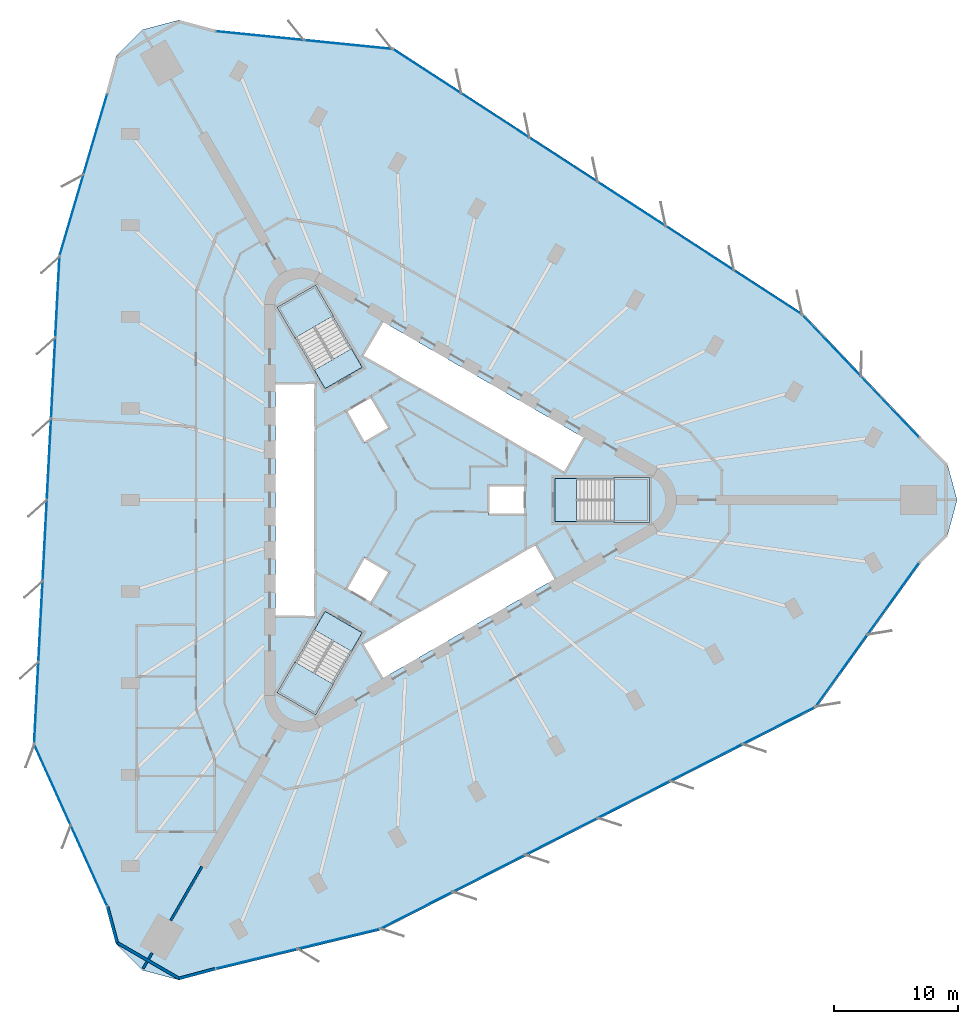
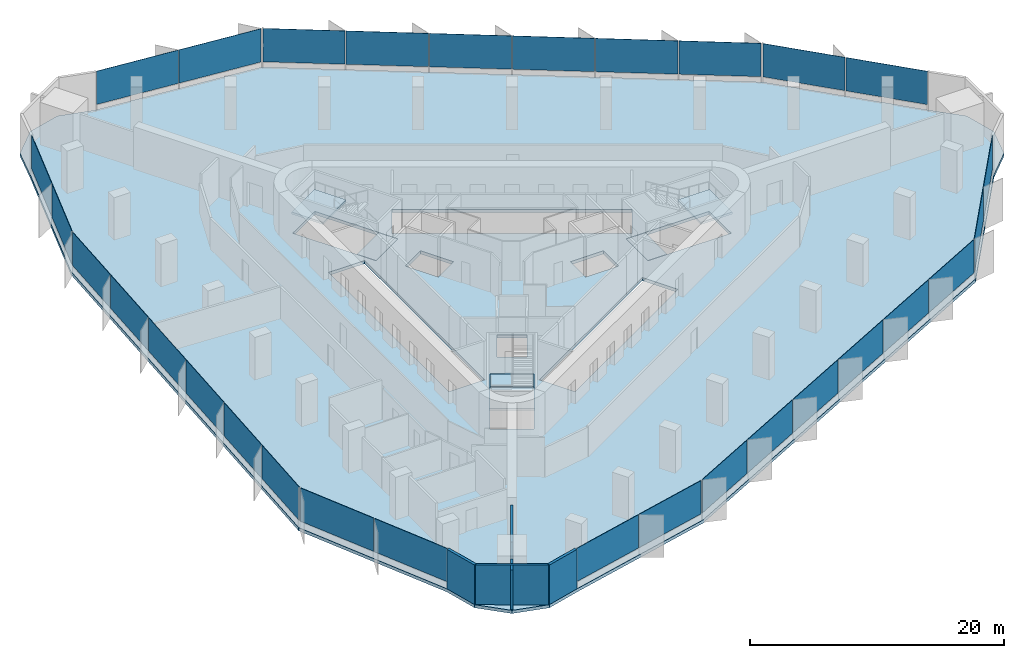
# One storey, part 8 of 14: 30 plates, 7 slabs, 6 walls, 12 elements without a shape of their own.
"""IFC4 building model written with IfcOpenShell, lengths in metres."""

from ifc_helpers import new_model, si_unit, direction, frame, frame_2d, origin, origin_2d, place, context, subcontext, project, spatial, polyline, rectangle, outline, extrude, material, layer, layer_set, type_object, element, aggregate, save


model = new_model("IFC4")

# Units and contexts
model_context = context("Model", 3, precision=1e-05, world=origin(), true_north=direction((0.0, 1.0)))
body_context = subcontext(model_context, "Body", "Model", "MODEL_VIEW")
ifc_project = project(units=[si_unit("LENGTHUNIT", "METRE"), si_unit("AREAUNIT", "SQUARE_METRE"), si_unit("VOLUMEUNIT", "CUBIC_METRE"), si_unit("PLANEANGLEUNIT", "RADIAN"), si_unit("MASSUNIT", "GRAM", prefix="KILO")], contexts=[model_context])

# Site, building, storey
site_placement = place(None, origin())
site = spatial("IfcSite", under=ifc_project, at=site_placement, CompositionType="ELEMENT")
building_placement = place(site_placement, origin())
building = spatial("IfcBuilding", under=site, at=building_placement, Name="Tanit Gate Tower", CompositionType="ELEMENT")
storey_placement = place(building_placement, frame((0.0, 0.0, 115.199951171875)))
storey = spatial("IfcBuildingStorey", under=building, at=storey_placement, Name="L24", CompositionType="ELEMENT", Elevation=115.199951171875)

# Slab
ifc_material_1 = material(Name="Concrete C35/45", Category="concrete")
ifc_layer_1 = layer(ifc_material_1, 0.300048828125)
ifc_layer_set_1 = layer_set([ifc_layer_1], Name="FLOOR SLAB 300 C35/45")
slab_type_1 = type_object("IfcSlabType", Name="FLOOR SLAB 300 C35/45", PredefinedType="FLOOR", material=ifc_layer_set_1)
slab_1_placement = place(storey_placement, frame((0.0, 0.0, -0.300048828125)))
element("IfcSlab", 1, at=slab_1_placement, inside=storey, type_object=slab_type_1, Name="FLOOR SLAB L24", PredefinedType="FLOOR", context=body_context, shape_type="SweptSolid", body=[
    extrude(outline(polyline([(40.87548828125, 5.105224609375), (43.033203125, 2.947509765625), (43.822998046875, 0.0), (43.033203125, -2.947509765625), (40.87548828125, -5.105224609375), (32.458251953125, -16.80322265625), (-2.703369140625, -34.73388671875), (-16.0166015625, -37.951904296875), (-18.964111328125, -38.74169921875), (-21.91162109375, -37.951904296875), (-24.0693359375, -35.794189453125), (-24.859130859375, -32.8466796875), (-30.78125, -19.7080078125), (-28.728759765625, 19.7080078125), (-24.859130859375, 32.8466796875), (-24.0693359375, 35.794189453125), (-21.91162109375, 37.951904296875), (-18.964111328125, 38.74169921875), (-16.0166015625, 37.951904296875), (-1.677001953125, 36.51123046875), (31.431884765625, 15.02587890625), (40.87548828125, 5.105224609375)]), holes=[polyline([(11.3701171875, 1.72998046875), (18.929931640625, 1.72998046875), (18.929931640625, -1.72998046875), (11.3701171875, -1.72998046875), (11.3701171875, 1.72998046875)]), polyline([(-4.208984375, 11.60986328125), (-2.583984375, 14.424560546875), (13.783935546875, 4.974609375), (12.158935546875, 2.159912109375), (-4.208984375, 11.60986328125)]), polyline([(-4.208984375, -11.60986328125), (9.82080078125, -3.510009765625), (11.44580078125, -6.324462890625), (-2.583984375, -14.424560546875), (-4.208984375, -11.60986328125)]), polyline([(9.0, 1.199951171875), (9.0, -1.199951171875), (6.0, -1.199951171875), (6.0, 1.199951171875), (9.0, 1.199951171875)]), polyline([(-5.539306640625, 7.194091796875), (-3.460693359375, 8.394287109375), (-1.960693359375, 5.796142578125), (-4.039306640625, 4.59619140625), (-5.539306640625, 7.194091796875)]), polyline([(-1.960693359375, -5.796142578125), (-3.460693359375, -8.394287109375), (-5.539306640625, -7.194091796875), (-4.039306640625, -4.59619140625), (-1.960693359375, -5.796142578125)]), polyline([(-10.963134765625, 15.52880859375), (-7.966796875, 17.2587890625), (-4.186767578125, 10.711669921875), (-7.18310546875, 8.981689453125), (-10.963134765625, 15.52880859375)]), polyline([(-4.186767578125, -10.711669921875), (-7.966796875, -17.2587890625), (-10.963134765625, -15.52880859375), (-7.18310546875, -8.981689453125), (-4.186767578125, -10.711669921875)]), polyline([(-11.199951171875, -9.449951171875), (-11.199951171875, 9.449951171875), (-7.949951171875, 9.449951171875), (-7.949951171875, -9.449951171875), (-11.199951171875, -9.449951171875)])]), origin(), (0.0, 0.0, 1.0), 0.300048828125),
])

# Curtain wall, plates
ifc_material_2 = material(Name="Aluminium bronze anodised and glass", Category="aluminium")
curtain_wall_type = type_object("IfcCurtainWallType", Name="Curtain wall typical low", PredefinedType="NOTDEFINED", material=ifc_material_2)
curtain_wall_1_placement = place(storey_placement, origin())
curtain_wall_1 = element("IfcCurtainWall", 2, at=curtain_wall_1_placement, inside=storey, type_object=curtain_wall_type, Name="Curtain wall L24 NE1", PredefinedType="NOTDEFINED")
ifc_material_3 = material(Name="Glass tinted", Category="glass")
ifc_layer_2 = layer(ifc_material_3, 0.031982421875)
ifc_layer_set_2 = layer_set([ifc_layer_2], Name="Glass panel 32 typical low")
plate_type = type_object("IfcPlateType", Name="Glass panel 32 typical low", PredefinedType="CURTAIN_PANEL", material=ifc_layer_set_2)
plate_1_placement = place(storey_placement, frame((38.417236328125, 7.513671875, 0.60009765625), z_axis=(0.0, 0.0, 1.0), x_axis=(-0.689481250245, 0.724303531374, 0.0)))
plate_1 = element("IfcPlate", 3, at=plate_1_placement, type_object=plate_type, Name="Glass panel L24 NE1.1", PredefinedType="CURTAIN_PANEL", context=body_context, shape_type="SweptSolid", body=[
    extrude(rectangle(XDim=6.721923828125, YDim=0.031982421875, at=origin_2d()), origin(), (0.0, 0.0, 1.0), 3.199951171875),
])
plate_2_placement = place(storey_placement, frame((33.727294921875, 12.4404296875, 0.60009765625), z_axis=(0.0, 0.0, 1.0), x_axis=(-0.689481250245, 0.724303531374, 0.0)))
plate_2 = element("IfcPlate", 4, at=plate_2_placement, type_object=plate_type, Name="Glass panel L24 NE1.2", PredefinedType="CURTAIN_PANEL", context=body_context, shape_type="SweptSolid", body=[
    extrude(rectangle(XDim=6.721923828125, YDim=0.031982421875, at=origin_2d()), origin(), (0.0, 0.0, 1.0), 3.199951171875),
])
aggregate(curtain_wall_1, [plate_1, plate_2])

curtain_wall_2_placement = place(storey_placement, origin())
curtain_wall_2 = element("IfcCurtainWall", 5, at=curtain_wall_2_placement, inside=storey, type_object=curtain_wall_type, Name="Curtain wall L24 NE2", PredefinedType="NOTDEFINED")
plate_3_placement = place(storey_placement, frame((28.57080078125, 16.739501953125, 0.60009765625), z_axis=(0.0, 0.0, 1.0), x_axis=(-0.838852134807, 0.544359344487, 0.0)))
plate_3 = element("IfcPlate", 6, at=plate_3_placement, type_object=plate_type, Name="Glass panel L24 NE2.1", PredefinedType="CURTAIN_PANEL", context=body_context, shape_type="SweptSolid", body=[
    extrude(rectangle(XDim=6.477783203125, YDim=0.031982421875, at=origin_2d()), origin(), (0.0, 0.0, 1.0), 3.199951171875),
])
plate_4_placement = place(storey_placement, frame((23.06982421875, 20.309326171875, 0.60009765625), z_axis=(0.0, 0.0, 1.0), x_axis=(-0.838852134807, 0.544359344487, 0.0)))
plate_4 = element("IfcPlate", 7, at=plate_4_placement, type_object=plate_type, Name="Glass panel L24 NE2.2", PredefinedType="CURTAIN_PANEL", context=body_context, shape_type="SweptSolid", body=[
    extrude(rectangle(XDim=6.477783203125, YDim=0.031982421875, at=origin_2d()), origin(), (0.0, 0.0, 1.0), 3.199951171875),
])
plate_5_placement = place(storey_placement, frame((17.56884765625, 23.87890625, 0.60009765625), z_axis=(0.0, 0.0, 1.0), x_axis=(-0.838852134807, 0.544359344487, 0.0)))
plate_5 = element("IfcPlate", 8, at=plate_5_placement, type_object=plate_type, Name="Glass panel L24 NE2.3", PredefinedType="CURTAIN_PANEL", context=body_context, shape_type="SweptSolid", body=[
    extrude(rectangle(XDim=6.477783203125, YDim=0.031982421875, at=origin_2d()), origin(), (0.0, 0.0, 1.0), 3.199951171875),
])
plate_6_placement = place(storey_placement, frame((12.06787109375, 27.44873046875, 0.60009765625), z_axis=(0.0, 0.0, 1.0), x_axis=(-0.838852134807, 0.544359344487, 0.0)))
plate_6 = element("IfcPlate", 9, at=plate_6_placement, type_object=plate_type, Name="Glass panel L24 NE2.4", PredefinedType="CURTAIN_PANEL", context=body_context, shape_type="SweptSolid", body=[
    extrude(rectangle(XDim=6.477783203125, YDim=0.031982421875, at=origin_2d()), origin(), (0.0, 0.0, 1.0), 3.199951171875),
])
plate_7_placement = place(storey_placement, frame((6.56689453125, 31.0185546875, 0.60009765625), z_axis=(0.0, 0.0, 1.0), x_axis=(-0.838852134807, 0.544359344487, 0.0)))
plate_7 = element("IfcPlate", 10, at=plate_7_placement, type_object=plate_type, Name="Glass panel L24 NE2.5", PredefinedType="CURTAIN_PANEL", context=body_context, shape_type="SweptSolid", body=[
    extrude(rectangle(XDim=6.477783203125, YDim=0.031982421875, at=origin_2d()), origin(), (0.0, 0.0, 1.0), 3.199951171875),
])
plate_8_placement = place(storey_placement, frame((1.066162109375, 34.588134765625, 0.60009765625), z_axis=(0.0, 0.0, 1.0), x_axis=(-0.838852134807, 0.544359344487, 0.0)))
plate_8 = element("IfcPlate", 11, at=plate_8_placement, type_object=plate_type, Name="Glass panel L24 NE2.6", PredefinedType="CURTAIN_PANEL", context=body_context, shape_type="SweptSolid", body=[
    extrude(rectangle(XDim=6.477783203125, YDim=0.031982421875, at=origin_2d()), origin(), (0.0, 0.0, 1.0), 3.199951171875),
])
aggregate(curtain_wall_2, [plate_3, plate_4, plate_5, plate_6, plate_7, plate_8])

curtain_wall_3_placement = place(storey_placement, origin())
curtain_wall_3 = element("IfcCurtainWall", 12, at=curtain_wall_3_placement, inside=storey, type_object=curtain_wall_type, Name="Curtain wall L24 NE3", PredefinedType="NOTDEFINED")
plate_9_placement = place(storey_placement, frame((-5.31787109375, 36.756591796875, 0.60009765625), z_axis=(0.0, 0.0, 1.0), x_axis=(-0.994991526189, 0.099959305783, 0.0)))
plate_9 = element("IfcPlate", 13, at=plate_9_placement, type_object=plate_type, Name="Glass panel L24 NE3.1", PredefinedType="CURTAIN_PANEL", context=body_context, shape_type="SweptSolid", body=[
    extrude(rectangle(XDim=7.076171875, YDim=0.031982421875, at=origin_2d()), origin(), (0.0, 0.0, 1.0), 3.199951171875),
])
plate_10_placement = place(storey_placement, frame((-12.438232421875, 37.471923828125, 0.60009765625), z_axis=(0.0, 0.0, 1.0), x_axis=(-0.994991526189, 0.099959305783, 0.0)))
plate_10 = element("IfcPlate", 14, at=plate_10_placement, type_object=plate_type, Name="Glass panel L24 NE3.2", PredefinedType="CURTAIN_PANEL", context=body_context, shape_type="SweptSolid", body=[
    extrude(rectangle(XDim=7.076171875, YDim=0.031982421875, at=origin_2d()), origin(), (0.0, 0.0, 1.0), 3.199951171875),
])
aggregate(curtain_wall_3, [plate_9, plate_10])

curtain_wall_4_placement = place(storey_placement, origin())
curtain_wall_4 = element("IfcCurtainWall", 15, at=curtain_wall_4_placement, inside=storey, type_object=curtain_wall_type, Name="Curtain wall L24 W1", PredefinedType="NOTDEFINED")
plate_11_placement = place(storey_placement, frame((-25.715576171875, 29.513427734375, 0.60009765625), z_axis=(0.0, 0.0, 1.0), x_axis=(-0.282524633098, -0.959260043832, 0.0)))
plate_11 = element("IfcPlate", 16, at=plate_11_placement, type_object=plate_type, Name="Glass panel L24 W1.1", PredefinedType="CURTAIN_PANEL", context=body_context, shape_type="SweptSolid", body=[
    extrude(rectangle(XDim=6.721923828125, YDim=0.031982421875, at=origin_2d()), origin(), (0.0, 0.0, 1.0), 3.199951171875),
])
plate_12_placement = place(storey_placement, frame((-27.637451171875, 22.988525390625, 0.60009765625), z_axis=(0.0, 0.0, 1.0), x_axis=(-0.282524633098, -0.959260043832, 0.0)))
plate_12 = element("IfcPlate", 17, at=plate_12_placement, type_object=plate_type, Name="Glass panel L24 W1.2", PredefinedType="CURTAIN_PANEL", context=body_context, shape_type="SweptSolid", body=[
    extrude(rectangle(XDim=6.721923828125, YDim=0.031982421875, at=origin_2d()), origin(), (0.0, 0.0, 1.0), 3.199951171875),
])
aggregate(curtain_wall_4, [plate_11, plate_12])

curtain_wall_5_placement = place(storey_placement, origin())
curtain_wall_5 = element("IfcCurtainWall", 18, at=curtain_wall_5_placement, inside=storey, type_object=curtain_wall_type, Name="Curtain wall L24 W2", PredefinedType="NOTDEFINED")
plate_13_placement = place(storey_placement, frame((-28.7822265625, 16.373291015625, 0.60009765625), z_axis=(0.0, 0.0, 1.0), x_axis=(-0.05200295371, -0.998646931005, 0.0)))
plate_13 = element("IfcPlate", 19, at=plate_13_placement, type_object=plate_type, Name="Glass panel L24 W2.1", PredefinedType="CURTAIN_PANEL", context=body_context, shape_type="SweptSolid", body=[
    extrude(rectangle(XDim=6.477783203125, YDim=0.031982421875, at=origin_2d()), origin(), (0.0, 0.0, 1.0), 3.199951171875),
])
plate_14_placement = place(storey_placement, frame((-29.123291015625, 9.824462890625, 0.60009765625), z_axis=(0.0, 0.0, 1.0), x_axis=(-0.05200295371, -0.998646931005, 0.0)))
plate_14 = element("IfcPlate", 20, at=plate_14_placement, type_object=plate_type, Name="Glass panel L24 W2.2", PredefinedType="CURTAIN_PANEL", context=body_context, shape_type="SweptSolid", body=[
    extrude(rectangle(XDim=6.477783203125, YDim=0.031982421875, at=origin_2d()), origin(), (0.0, 0.0, 1.0), 3.199951171875),
])
plate_15_placement = place(storey_placement, frame((-29.464111328125, 3.275634765625, 0.60009765625), z_axis=(0.0, 0.0, 1.0), x_axis=(-0.05200295371, -0.998646931005, 0.0)))
plate_15 = element("IfcPlate", 21, at=plate_15_placement, type_object=plate_type, Name="Glass panel L24 W2.3", PredefinedType="CURTAIN_PANEL", context=body_context, shape_type="SweptSolid", body=[
    extrude(rectangle(XDim=6.477783203125, YDim=0.031982421875, at=origin_2d()), origin(), (0.0, 0.0, 1.0), 3.199951171875),
])
plate_16_placement = place(storey_placement, frame((-29.80517578125, -3.273193359375, 0.60009765625), z_axis=(0.0, 0.0, 1.0), x_axis=(-0.05200295371, -0.998646931005, 0.0)))
plate_16 = element("IfcPlate", 22, at=plate_16_placement, type_object=plate_type, Name="Glass panel L24 W2.4", PredefinedType="CURTAIN_PANEL", context=body_context, shape_type="SweptSolid", body=[
    extrude(rectangle(XDim=6.477783203125, YDim=0.031982421875, at=origin_2d()), origin(), (0.0, 0.0, 1.0), 3.199951171875),
])
plate_17_placement = place(storey_placement, frame((-30.146240234375, -9.822021484375, 0.60009765625), z_axis=(0.0, 0.0, 1.0), x_axis=(-0.05200295371, -0.998646931005, 0.0)))
plate_17 = element("IfcPlate", 23, at=plate_17_placement, type_object=plate_type, Name="Glass panel L24 W2.5", PredefinedType="CURTAIN_PANEL", context=body_context, shape_type="SweptSolid", body=[
    extrude(rectangle(XDim=6.477783203125, YDim=0.031982421875, at=origin_2d()), origin(), (0.0, 0.0, 1.0), 3.199951171875),
])
plate_18_placement = place(storey_placement, frame((-30.4873046875, -16.370849609375, 0.60009765625), z_axis=(0.0, 0.0, 1.0), x_axis=(-0.05200295371, -0.998646931005, 0.0)))
plate_18 = element("IfcPlate", 24, at=plate_18_placement, type_object=plate_type, Name="Glass panel L24 W2.6", PredefinedType="CURTAIN_PANEL", context=body_context, shape_type="SweptSolid", body=[
    extrude(rectangle(XDim=6.477783203125, YDim=0.031982421875, at=origin_2d()), origin(), (0.0, 0.0, 1.0), 3.199951171875),
])
aggregate(curtain_wall_5, [plate_13, plate_14, plate_15, plate_16, plate_17, plate_18])

curtain_wall_6_placement = place(storey_placement, origin())
curtain_wall_6 = element("IfcCurtainWall", 25, at=curtain_wall_6_placement, inside=storey, type_object=curtain_wall_type, Name="Curtain wall L24 W3", PredefinedType="NOTDEFINED")
plate_19_placement = place(storey_placement, frame((-29.173095703125, -22.983642578125, 0.60009765625), z_axis=(0.0, 0.0, 1.0), x_axis=(0.410928464942, -0.911667591121, 0.0)))
plate_19 = element("IfcPlate", 26, at=plate_19_placement, type_object=plate_type, Name="Glass panel L24 W3.1", PredefinedType="CURTAIN_PANEL", context=body_context, shape_type="SweptSolid", body=[
    extrude(rectangle(XDim=7.076171875, YDim=0.031982421875, at=origin_2d()), origin(), (0.0, 0.0, 1.0), 3.199951171875),
])
plate_20_placement = place(storey_placement, frame((-26.232421875, -29.5078125, 0.60009765625), z_axis=(0.0, 0.0, 1.0), x_axis=(0.410928464942, -0.911667591121, 0.0)))
plate_20 = element("IfcPlate", 27, at=plate_20_placement, type_object=plate_type, Name="Glass panel L24 W3.2", PredefinedType="CURTAIN_PANEL", context=body_context, shape_type="SweptSolid", body=[
    extrude(rectangle(XDim=7.076171875, YDim=0.031982421875, at=origin_2d()), origin(), (0.0, 0.0, 1.0), 3.199951171875),
])
aggregate(curtain_wall_6, [plate_19, plate_20])

curtain_wall_7_placement = place(storey_placement, origin())
curtain_wall_7 = element("IfcCurtainWall", 28, at=curtain_wall_7_placement, inside=storey, type_object=curtain_wall_type, Name="Curtain wall L24 SE1", PredefinedType="NOTDEFINED")
plate_21_placement = place(storey_placement, frame((-12.701416015625, -37.027099609375, 0.60009765625), z_axis=(0.0, 0.0, 1.0), x_axis=(0.972005883343, 0.234956512458, 0.0)))
plate_21 = element("IfcPlate", 29, at=plate_21_placement, type_object=plate_type, Name="Glass panel L24 SE1.1", PredefinedType="CURTAIN_PANEL", context=body_context, shape_type="SweptSolid", body=[
    extrude(rectangle(XDim=6.721923828125, YDim=0.031982421875, at=origin_2d()), origin(), (0.0, 0.0, 1.0), 3.199951171875),
])
plate_22_placement = place(storey_placement, frame((-6.08984375, -35.428955078125, 0.60009765625), z_axis=(0.0, 0.0, 1.0), x_axis=(0.972005883343, 0.234956512458, 0.0)))
plate_22 = element("IfcPlate", 30, at=plate_22_placement, type_object=plate_type, Name="Glass panel L24 SE1.2", PredefinedType="CURTAIN_PANEL", context=body_context, shape_type="SweptSolid", body=[
    extrude(rectangle(XDim=6.721923828125, YDim=0.031982421875, at=origin_2d()), origin(), (0.0, 0.0, 1.0), 3.199951171875),
])
aggregate(curtain_wall_7, [plate_21, plate_22])

curtain_wall_8_placement = place(storey_placement, origin())
curtain_wall_8 = element("IfcCurtainWall", 31, at=curtain_wall_8_placement, inside=storey, type_object=curtain_wall_type, Name="Curtain wall L24 SE2", PredefinedType="NOTDEFINED")
plate_23_placement = place(storey_placement, frame((0.21142578125, -33.11279296875, 0.60009765625), z_axis=(0.0, 0.0, 1.0), x_axis=(0.890855088516, 0.454287586518, 0.0)))
plate_23 = element("IfcPlate", 32, at=plate_23_placement, type_object=plate_type, Name="Glass panel L24 SE2.1", PredefinedType="CURTAIN_PANEL", context=body_context, shape_type="SweptSolid", body=[
    extrude(rectangle(XDim=6.477783203125, YDim=0.031982421875, at=origin_2d()), origin(), (0.0, 0.0, 1.0), 3.199951171875),
])
plate_24_placement = place(storey_placement, frame((6.053466796875, -30.133544921875, 0.60009765625), z_axis=(0.0, 0.0, 1.0), x_axis=(0.890855088516, 0.454287586518, 0.0)))
plate_24 = element("IfcPlate", 33, at=plate_24_placement, type_object=plate_type, Name="Glass panel L24 SE2.2", PredefinedType="CURTAIN_PANEL", context=body_context, shape_type="SweptSolid", body=[
    extrude(rectangle(XDim=6.477783203125, YDim=0.031982421875, at=origin_2d()), origin(), (0.0, 0.0, 1.0), 3.199951171875),
])
plate_25_placement = place(storey_placement, frame((11.895263671875, -27.154541015625, 0.60009765625), z_axis=(0.0, 0.0, 1.0), x_axis=(0.890855088516, 0.454287586518, 0.0)))
plate_25 = element("IfcPlate", 34, at=plate_25_placement, type_object=plate_type, Name="Glass panel L24 SE2.3", PredefinedType="CURTAIN_PANEL", context=body_context, shape_type="SweptSolid", body=[
    extrude(rectangle(XDim=6.477783203125, YDim=0.031982421875, at=origin_2d()), origin(), (0.0, 0.0, 1.0), 3.199951171875),
])
plate_26_placement = place(storey_placement, frame((17.7373046875, -24.175537109375, 0.60009765625), z_axis=(0.0, 0.0, 1.0), x_axis=(0.890855088516, 0.454287586518, 0.0)))
plate_26 = element("IfcPlate", 35, at=plate_26_placement, type_object=plate_type, Name="Glass panel L24 SE2.4", PredefinedType="CURTAIN_PANEL", context=body_context, shape_type="SweptSolid", body=[
    extrude(rectangle(XDim=6.477783203125, YDim=0.031982421875, at=origin_2d()), origin(), (0.0, 0.0, 1.0), 3.199951171875),
])
plate_27_placement = place(storey_placement, frame((23.579345703125, -21.196533203125, 0.60009765625), z_axis=(0.0, 0.0, 1.0), x_axis=(0.890855088516, 0.454287586518, 0.0)))
plate_27 = element("IfcPlate", 36, at=plate_27_placement, type_object=plate_type, Name="Glass panel L24 SE2.5", PredefinedType="CURTAIN_PANEL", context=body_context, shape_type="SweptSolid", body=[
    extrude(rectangle(XDim=6.477783203125, YDim=0.031982421875, at=origin_2d()), origin(), (0.0, 0.0, 1.0), 3.199951171875),
])
plate_28_placement = place(storey_placement, frame((29.421142578125, -18.21728515625, 0.60009765625), z_axis=(0.0, 0.0, 1.0), x_axis=(0.890855088516, 0.454287586518, 0.0)))
plate_28 = element("IfcPlate", 37, at=plate_28_placement, type_object=plate_type, Name="Glass panel L24 SE2.6", PredefinedType="CURTAIN_PANEL", context=body_context, shape_type="SweptSolid", body=[
    extrude(rectangle(XDim=6.477783203125, YDim=0.031982421875, at=origin_2d()), origin(), (0.0, 0.0, 1.0), 3.199951171875),
])
aggregate(curtain_wall_8, [plate_23, plate_24, plate_25, plate_26, plate_27, plate_28])

curtain_wall_9_placement = place(storey_placement, origin())
curtain_wall_9 = element("IfcCurtainWall", 38, at=curtain_wall_9_placement, inside=storey, type_object=curtain_wall_type, Name="Curtain wall L24 SE3", PredefinedType="NOTDEFINED")
plate_29_placement = place(storey_placement, frame((34.490966796875, -13.772705078125, 0.60009765625), z_axis=(0.0, 0.0, 1.0), x_axis=(0.584063061247, 0.811708285338, 0.0)))
plate_29 = element("IfcPlate", 39, at=plate_29_placement, type_object=plate_type, Name="Glass panel L24 SE3.1", PredefinedType="CURTAIN_PANEL", context=body_context, shape_type="SweptSolid", body=[
    extrude(rectangle(XDim=7.076171875, YDim=0.031982421875, at=origin_2d()), origin(), (0.0, 0.0, 1.0), 3.199951171875),
])
plate_30_placement = place(storey_placement, frame((38.670654296875, -7.964111328125, 0.60009765625), z_axis=(0.0, 0.0, 1.0), x_axis=(0.584063061247, 0.811708285338, 0.0)))
plate_30 = element("IfcPlate", 40, at=plate_30_placement, type_object=plate_type, Name="Glass panel L24 SE3.2", PredefinedType="CURTAIN_PANEL", context=body_context, shape_type="SweptSolid", body=[
    extrude(rectangle(XDim=7.076171875, YDim=0.031982421875, at=origin_2d()), origin(), (0.0, 0.0, 1.0), 3.199951171875),
])
aggregate(curtain_wall_9, [plate_29, plate_30])

# Stair, slab
ifc_material_4 = material(Name="Concrete C40/50", Category="concrete")
stair_type = type_object("IfcStairType", Name="INT-STAIR-EXIT", PredefinedType="HALF_TURN_STAIR", material=ifc_material_4)
stair_1_placement = place(storey_placement, origin())
stair_1 = element("IfcStair", 41, at=stair_1_placement, inside=storey, type_object=stair_type, Name="L24 STAIR S1", PredefinedType="HALF_TURN_STAIR")
ifc_material_5 = material(Name="Concrete C40/50", Category="concrete")
ifc_layer_3 = layer(ifc_material_5, 0.199951171875)
ifc_layer_set_3 = layer_set([ifc_layer_3], Name="INT-STAIR-LANDING")
slab_type_2 = type_object("IfcSlabType", Name="INT-STAIR-LANDING", PredefinedType="LANDING", material=ifc_layer_set_3)
slab_2_placement = place(storey_placement, frame((0.0, 0.0, 1.85009765625)))
slab_2 = element("IfcSlab", 42, at=slab_2_placement, type_object=slab_type_2, Name="S1 landing 1", PredefinedType="LANDING", context=body_context, shape_type="SweptSolid", body=[
    extrude(outline(polyline([(16.135986328125, -1.800048828125), (19.0, -1.800048828125), (19.0, 1.800048828125), (16.135986328125, 1.800048828125), (16.135986328125, -1.800048828125)])), origin(), (0.0, 0.0, 1.0), 0.199951171875),
])
aggregate(stair_1, [slab_2])

# Slab
slab_3_placement = place(storey_placement, frame((0.0, 0.0, -0.199951171875)))
element("IfcSlab", 43, at=slab_3_placement, inside=storey, type_object=slab_type_2, Name="S1 floor landing", PredefinedType="LANDING", context=body_context, shape_type="SweptSolid", body=[
    extrude(outline(polyline([(11.3798828125, -1.719970703125), (13.10498046875, -1.719970703125), (13.10498046875, 1.719970703125), (11.3798828125, 1.719970703125), (11.3798828125, -1.719970703125)])), origin(), (0.0, 0.0, 1.0), 0.199951171875),
])

# Stair, slab
stair_2_placement = place(storey_placement, origin())
stair_2 = element("IfcStair", 44, at=stair_2_placement, inside=storey, type_object=stair_type, Name="L24 STAIR S2", PredefinedType="HALF_TURN_STAIR")
slab_4_placement = place(storey_placement, frame((0.0, 0.0, 1.85009765625)))
slab_4 = element("IfcSlab", 45, at=slab_4_placement, type_object=slab_type_2, Name="S2 landing 1", PredefinedType="LANDING", context=body_context, shape_type="SweptSolid", body=[
    extrude(outline(polyline([(-6.5078125, 14.871826171875), (-7.941162109375, 17.3544921875), (-11.058837890625, 15.554443359375), (-9.62548828125, 13.07177734375), (-6.5078125, 14.871826171875)])), origin(), (0.0, 0.0, 1.0), 0.199951171875),
])
aggregate(stair_2, [slab_4])

# Slab
slab_5_placement = place(storey_placement, frame((0.0, 0.0, -0.199951171875)))
element("IfcSlab", 46, at=slab_5_placement, inside=storey, type_object=slab_type_2, Name="S2 floor landing", PredefinedType="LANDING", context=body_context, shape_type="SweptSolid", body=[
    extrude(outline(polyline([(-4.200439453125, 10.71533203125), (-5.0625, 12.20849609375), (-8.04150390625, 10.48828125), (-7.179443359375, 8.995361328125), (-4.200439453125, 10.71533203125)])), origin(), (0.0, 0.0, 1.0), 0.199951171875),
])

# Stair, slab
stair_3_placement = place(storey_placement, origin())
stair_3 = element("IfcStair", 47, at=stair_3_placement, inside=storey, type_object=stair_type, Name="L24 STAIR S3", PredefinedType="HALF_TURN_STAIR")
slab_6_placement = place(storey_placement, frame((0.0, 0.0, 1.85009765625)))
slab_6 = element("IfcSlab", 48, at=slab_6_placement, type_object=slab_type_2, Name="S3 landing 1", PredefinedType="LANDING", context=body_context, shape_type="SweptSolid", body=[
    extrude(outline(polyline([(-9.626953125, -13.07421875), (-11.058837890625, -15.554443359375), (-7.941162109375, -17.3544921875), (-6.509033203125, -14.874267578125), (-9.626953125, -13.07421875)])), origin(), (0.0, 0.0, 1.0), 0.199951171875),
])
aggregate(stair_3, [slab_6])

# Slab
slab_7_placement = place(storey_placement, frame((0.0, 0.0, -0.199951171875)))
element("IfcSlab", 49, at=slab_7_placement, inside=storey, type_object=slab_type_2, Name="S3 floor landing", PredefinedType="LANDING", context=body_context, shape_type="SweptSolid", body=[
    extrude(outline(polyline([(-7.179443359375, -8.995361328125), (-8.0419921875, -10.4892578125), (-5.06298828125, -12.209228515625), (-4.200439453125, -10.71533203125), (-7.179443359375, -8.995361328125)])), origin(), (0.0, 0.0, 1.0), 0.199951171875),
])

# Walls
ifc_material_6 = material(Name="Concrete C30/37 with bronze anodised aluminium cladding", Category="concrete")
ifc_layer_4 = layer(ifc_material_6, 0.239990234375)
ifc_layer_set_4 = layer_set([ifc_layer_4], Name="Facade wall bronze clad 240")
wall_type_1 = type_object("IfcWallType", Name="Facade wall bronze clad 240", PredefinedType="SOLIDWALL", material=ifc_layer_set_4)
wall_1_placement = place(storey_placement, frame((-24.74560546875, -32.80615234375, 0.0), z_axis=(0.0, 0.0, 1.0), x_axis=(0.258811290087, -0.965927904206, 0.0)))
element("IfcWall", 50, at=wall_1_placement, inside=storey, type_object=wall_type_1, Name="Bronze-clad facade wall L24 SW.arc1", PredefinedType="SOLIDWALL", context=body_context, shape_type="SweptSolid", body=[
    extrude(rectangle(XDim=3.029052734375, YDim=0.239990234375, at=frame_2d((1.5146484375, 0.0))), origin(), (0.0, 0.0, 1.0), 3.800048828125),
])
wall_2_placement = place(storey_placement, frame((-23.961669921875, -35.73193359375, 0.0), z_axis=(0.0, 0.0, 1.0), x_axis=(0.866013679419, -0.500020306647, 0.0)))
element("IfcWall", 51, at=wall_2_placement, inside=storey, type_object=wall_type_1, Name="Bronze-clad facade wall L24 SW.arc2", PredefinedType="SOLIDWALL", context=body_context, shape_type="SweptSolid", body=[
    extrude(rectangle(XDim=5.770751953125, YDim=0.239990234375, at=frame_2d((2.88525390625, 0.0))), origin(), (0.0, 0.0, 1.0), 3.800048828125),
])
wall_3_placement = place(storey_placement, frame((-18.964111328125, -38.617431640625, 0.0), z_axis=(0.0, 0.0, 1.0), x_axis=(0.965936508551, 0.258779175065, 0.0)))
element("IfcWall", 52, at=wall_3_placement, inside=storey, type_object=wall_type_1, Name="Bronze-clad facade wall L24 SW.arc3", PredefinedType="SOLIDWALL", context=body_context, shape_type="SweptSolid", body=[
    extrude(rectangle(XDim=3.020751953125, YDim=0.239990234375, at=frame_2d((1.51025390625, 0.0))), origin(), (0.0, 0.0, 1.0), 3.800048828125),
])
ifc_material_7 = material(Name="Fire-rated gypsum board partition")
ifc_layer_5 = layer(ifc_material_7, 0.199951171875)
ifc_layer_set_5 = layer_set([ifc_layer_5], Name="INT-WALL-COMPARTMENT")
wall_type_2 = type_object("IfcWallType", Name="INT-WALL-COMPARTMENT", PredefinedType="PARTITIONING", material=ifc_layer_set_5)
wall_4_placement = place(storey_placement, frame((-17.1142578125, -29.582763671875, 0.0), z_axis=(0.0, 0.0, 1.0), x_axis=(-0.499994660107, -0.866028486751, 0.0)))
element("IfcWall", 53, at=wall_4_placement, inside=storey, type_object=wall_type_2, Name="Wall Compartment W111", PredefinedType="PARTITIONING", context=body_context, shape_type="SweptSolid", body=[
    extrude(rectangle(XDim=5.04638671875, YDim=0.199951171875, at=frame_2d((2.523193359375, 0.0))), origin(), (0.0, 0.0, 1.0), 3.3701171875),
])
wall_5_placement = place(storey_placement, frame((-21.137451171875, -36.55126953125, 0.0), z_axis=(0.0, 0.0, 1.0), x_axis=(-0.500193841991, -0.86591346013, 0.0)))
element("IfcWall", 54, at=wall_5_placement, inside=storey, type_object=wall_type_2, Name="Wall Compartment W110", PredefinedType="PARTITIONING", context=body_context, shape_type="SweptSolid", body=[
    extrude(rectangle(XDim=0.582763671875, YDim=0.199951171875, at=frame_2d((0.29150390625, 0.0))), origin(), (0.0, 0.0, 1.0), 3.800048828125),
])
wall_6_placement = place(storey_placement, frame((-21.548828125, -37.263671875, 0.0), z_axis=(0.0, 0.0, 1.0), x_axis=(-0.500006411147, -0.866021702275, 0.0)))
element("IfcWall", 55, at=wall_6_placement, inside=storey, type_object=wall_type_2, Name="Wall Compartment W110x1", PredefinedType="PARTITIONING", context=body_context, shape_type="SweptSolid", body=[
    extrude(rectangle(XDim=0.64501953125, YDim=0.199951171875, at=frame_2d((0.322509765625, 0.0))), origin(), (0.0, 0.0, 1.0), 3.800048828125),
])

save(model, "model.ifc")
